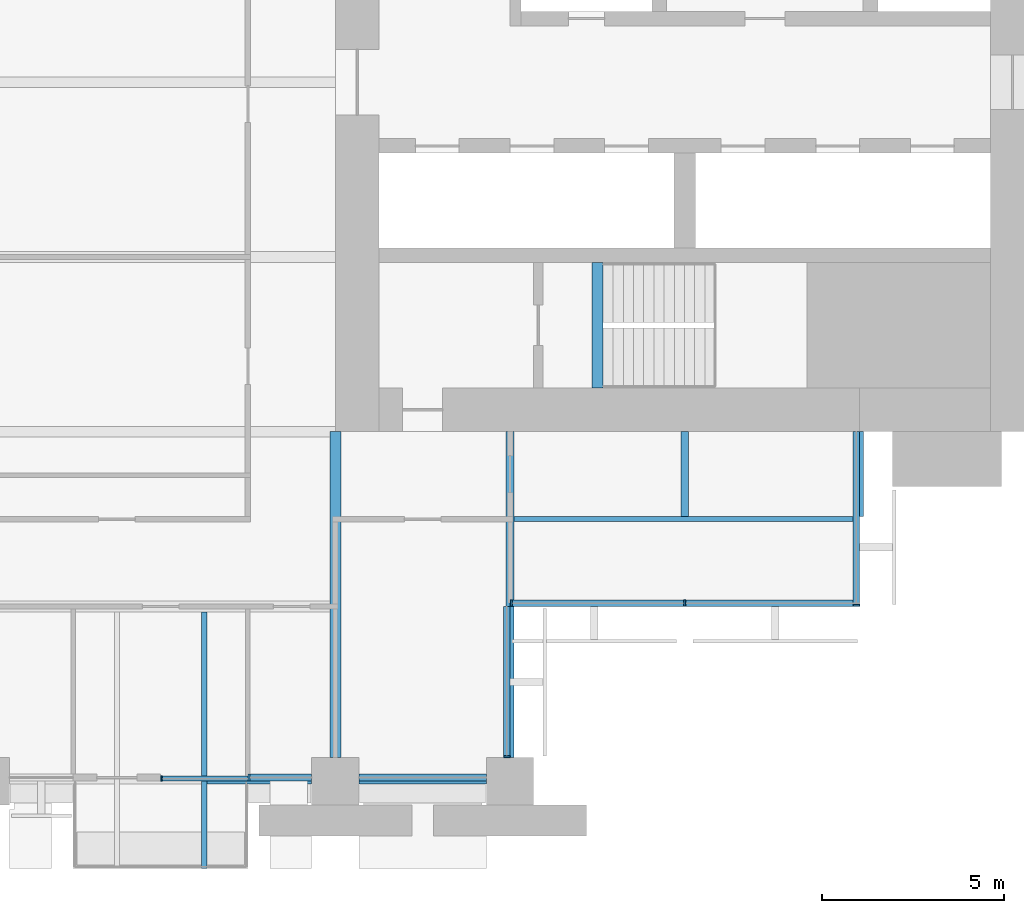
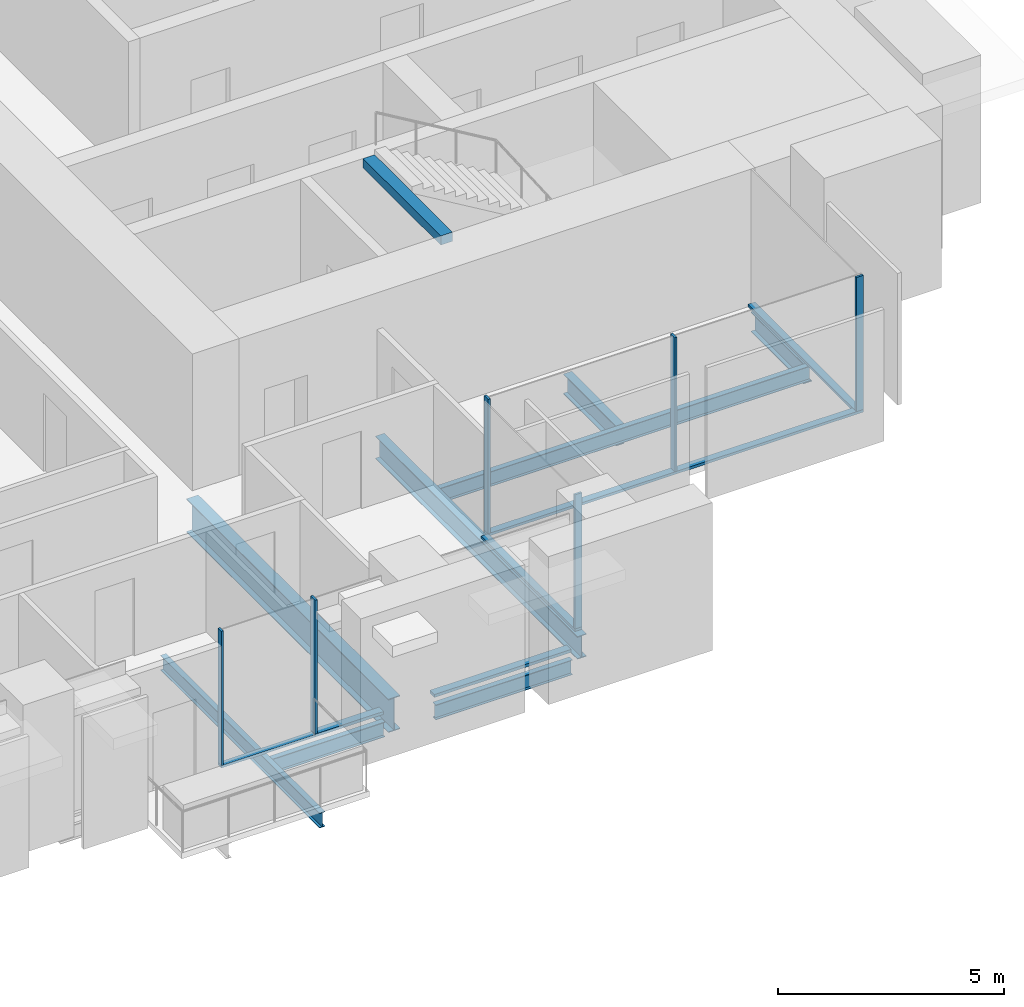
# One storey, part 4 of 15: 12 members, 9 beams, 5 elements without a shape of their own.
"""IFC4 building model written with IfcOpenShell, lengths in metres."""

from ifc_helpers import new_model, si_unit, direction, frame, origin, origin_2d, place, context, subcontext, project, spatial, rectangle, i_section, extrude, material, material_profile, profile_set, type_object, element, aggregate, save


model = new_model("IFC4")

# Units and contexts
model_context = context("Model", 3, precision=1e-05, world=origin(), true_north=direction((0.0, 1.0)))
body_context = subcontext(model_context, "Body", "Model", "MODEL_VIEW")
ifc_project = project(units=[si_unit("LENGTHUNIT", "METRE"), si_unit("AREAUNIT", "SQUARE_METRE"), si_unit("VOLUMEUNIT", "CUBIC_METRE"), si_unit("PLANEANGLEUNIT", "RADIAN"), si_unit("MASSUNIT", "GRAM", prefix="KILO")], contexts=[model_context])

# Site, building, storey
site_placement = place(None, origin())
site = spatial("IfcSite", under=ifc_project, at=site_placement, CompositionType="ELEMENT")
building_placement = place(site_placement, origin())
building = spatial("IfcBuilding", under=site, at=building_placement, Name="Baori Bourse Tower", CompositionType="ELEMENT")
storey_placement = place(building_placement, frame((0.0, 0.0, 83.0)))
storey = spatial("IfcBuildingStorey", under=building, at=storey_placement, Name="L18", CompositionType="ELEMENT", Elevation=83.0)

# Beam
ifc_material_1 = material(Name="Steel A992 Gr 50", Category="steel")
ifc_material_profile_1 = material_profile(ifc_material_1, i_section(OverallWidth=0.140380859375, OverallDepth=0.40380859375, WebThickness=0.007080078125, FlangeThickness=0.01123046875, at=origin_2d()), Name="W16x31")
ifc_profile_set_1 = profile_set([ifc_material_profile_1], Name="Steel A992 Gr 50")
beam_type_1 = type_object("IfcBeamType", Name="Balcony beam W16x31", PredefinedType="BEAM", material=ifc_profile_set_1)
beam_1_placement = place(storey_placement, frame((34.800048828125, -2.39990234375, -0.36181640625), z_axis=(0.0, 1.0, 0.0), x_axis=(-1.0, 0.0, 0.0)))
element("IfcBeam", 1, at=beam_1_placement, inside=storey, type_object=beam_type_1, Name="Balcony beam L18", PredefinedType="BEAM", context=body_context, shape_type="SweptSolid", body=[
    extrude(i_section(OverallWidth=0.140380859375, OverallDepth=0.40380859375, WebThickness=0.007080078125, FlangeThickness=0.01123046875, at=origin_2d()), origin(), (0.0, 0.0, 1.0), 7.050048828125),
])

# Curtain wall, members
ifc_material_2 = material(Name="Pale anodised aluminium", Category="aluminium")
curtain_wall_type_1 = type_object("IfcCurtainWallType", Name="CW1 Curtain wall", PredefinedType="NOTDEFINED", material=ifc_material_2)
curtain_wall_1_placement = place(storey_placement, origin())
curtain_wall_1 = element("IfcCurtainWall", 2, at=curtain_wall_1_placement, inside=storey, type_object=curtain_wall_type_1, Name="Curtain wall CW1 L18 16", PredefinedType="NOTDEFINED")
ifc_material_3 = material(Name="Pale anodised aluminium", Category="aluminium")
ifc_material_profile_2 = material_profile(ifc_material_3, rectangle(XDim=0.199951171875, YDim=0.06005859375, at=origin_2d()), Name="Mullion 60x200")
ifc_profile_set_2 = profile_set([ifc_material_profile_2], Name="Pale anodised aluminium")
member_type_1 = type_object("IfcMemberType", Name="CW1 Curtain wall mullion", PredefinedType="MULLION", material=ifc_profile_set_2)
member_1_placement = place(storey_placement, frame((36.030029296875, 0.10009765625, 0.080078125), z_axis=(0.0, 0.0, 1.0), x_axis=(0.0, 1.0, 0.0)))
member_1 = element("IfcMember", 3, at=member_1_placement, type_object=member_type_1, Name="Curtain wall CW1 mullion", PredefinedType="MULLION", context=body_context, shape_type="SweptSolid", body=[
    extrude(rectangle(XDim=0.199951171875, YDim=0.06005859375, at=origin_2d()), origin(), (0.0, 0.0, 1.0), 3.619873046875),
])
ifc_material_4 = material(Name="Pale anodised aluminium", Category="aluminium")
ifc_material_profile_3 = material_profile(ifc_material_4, rectangle(XDim=0.199951171875, YDim=0.080078125, at=origin_2d()), Name="Transom 80x200")
ifc_profile_set_3 = profile_set([ifc_material_profile_3], Name="Pale anodised aluminium")
member_type_2 = type_object("IfcMemberType", Name="CW1 Curtain wall transom", PredefinedType="USERDEFINED", material=ifc_profile_set_3)
member_2_placement = place(storey_placement, frame((36.0, 0.10009765625, 0.0400390625), z_axis=(1.0, 0.0, 0.0), x_axis=(0.0, 1.0, 0.0)))
member_2 = element("IfcMember", 4, at=member_2_placement, type_object=member_type_2, Name="Curtain wall CW1 sill rail", ObjectType="TRANSOM", PredefinedType="USERDEFINED", context=body_context, shape_type="SweptSolid", body=[
    extrude(rectangle(XDim=0.199951171875, YDim=0.080078125, at=origin_2d()), origin(), (0.0, 0.0, 1.0), 1.75),
])
member_3_placement = place(storey_placement, frame((39.050048828125, 0.10009765625, 0.0400390625), z_axis=(1.0, 0.0, 0.0), x_axis=(0.0, 1.0, 0.0)))
member_3 = element("IfcMember", 5, at=member_3_placement, type_object=member_type_2, Name="Curtain wall CW1 sill rail", ObjectType="TRANSOM", PredefinedType="USERDEFINED", context=body_context, shape_type="SweptSolid", body=[
    extrude(rectangle(XDim=0.199951171875, YDim=0.080078125, at=origin_2d()), origin(), (0.0, 0.0, 1.0), 3.5),
])
aggregate(curtain_wall_1, [member_2, member_1, member_3])

# Curtain wall, member
ifc_material_5 = material(Name="Pale anodised aluminium", Category="aluminium")
curtain_wall_type_2 = type_object("IfcCurtainWallType", Name="CW2 Curtain wall", PredefinedType="NOTDEFINED", material=ifc_material_5)
curtain_wall_2_placement = place(storey_placement, origin())
curtain_wall_2 = element("IfcCurtainWall", 6, at=curtain_wall_2_placement, inside=storey, type_object=curtain_wall_type_2, Name="Curtain wall CW2 L18 17", PredefinedType="NOTDEFINED")
ifc_material_6 = material(Name="Pale anodised aluminium", Category="aluminium")
ifc_material_profile_4 = material_profile(ifc_material_6, rectangle(XDim=0.179931640625, YDim=0.054931640625, at=origin_2d()), Name="Mullion 55x180")
ifc_profile_set_4 = profile_set([ifc_material_profile_4], Name="Pale anodised aluminium")
member_type_3 = type_object("IfcMemberType", Name="CW2 Curtain wall mullion", PredefinedType="MULLION", material=ifc_profile_set_4)
member_4_placement = place(storey_placement, frame((43.110107421875, 0.677490234375, 0.070068359375), z_axis=(0.0, 0.0, 1.0), x_axis=(-1.0, 0.0, 0.0)))
member_4 = element("IfcMember", 7, at=member_4_placement, type_object=member_type_3, Name="Curtain wall CW2 mullion", PredefinedType="MULLION", context=body_context, shape_type="SweptSolid", body=[
    extrude(rectangle(XDim=0.179931640625, YDim=0.054931640625, at=origin_2d()), origin(), (0.0, 0.0, 1.0), 3.6298828125),
])

# Curtain wall, members
curtain_wall_3_placement = place(storey_placement, origin())
curtain_wall_3 = element("IfcCurtainWall", 8, at=curtain_wall_3_placement, inside=storey, type_object=curtain_wall_type_2, Name="Curtain wall CW2 L18 18", PredefinedType="NOTDEFINED")
member_5_placement = place(storey_placement, frame((43.2275390625, 4.889892578125, 0.070068359375), z_axis=(0.0, 0.0, 1.0), x_axis=(0.0, 1.0, 0.0)))
member_5 = element("IfcMember", 9, at=member_5_placement, type_object=member_type_3, Name="Curtain wall CW2 mullion", PredefinedType="MULLION", context=body_context, shape_type="SweptSolid", body=[
    extrude(rectangle(XDim=0.179931640625, YDim=0.054931640625, at=origin_2d()), origin(), (0.0, 0.0, 1.0), 3.6298828125),
])
member_6_placement = place(storey_placement, frame((48.0, 4.889892578125, 0.070068359375), z_axis=(0.0, 0.0, 1.0), x_axis=(0.0, 1.0, 0.0)))
member_6 = element("IfcMember", 10, at=member_6_placement, type_object=member_type_3, Name="Curtain wall CW2 mullion", PredefinedType="MULLION", context=body_context, shape_type="SweptSolid", body=[
    extrude(rectangle(XDim=0.179931640625, YDim=0.054931640625, at=origin_2d()), origin(), (0.0, 0.0, 1.0), 3.6298828125),
])

# Curtain wall, member
curtain_wall_4_placement = place(storey_placement, origin())
curtain_wall_4 = element("IfcCurtainWall", 11, at=curtain_wall_4_placement, inside=storey, type_object=curtain_wall_type_2, Name="Curtain wall CW2 L18 19", PredefinedType="NOTDEFINED")
member_7_placement = place(storey_placement, frame((52.7099609375, 4.827392578125, 0.070068359375), z_axis=(0.0, 0.0, 1.0), x_axis=(-1.0, 0.0, 0.0)))
member_7 = element("IfcMember", 12, at=member_7_placement, type_object=member_type_3, Name="Curtain wall CW2 mullion", PredefinedType="MULLION", context=body_context, shape_type="SweptSolid", body=[
    extrude(rectangle(XDim=0.179931640625, YDim=0.054931640625, at=origin_2d()), origin(), (0.0, 0.0, 1.0), 3.6298828125),
])

# Member
ifc_material_7 = material(Name="Pale anodised aluminium", Category="aluminium")
ifc_material_profile_5 = material_profile(ifc_material_7, rectangle(XDim=0.179931640625, YDim=0.070068359375, at=origin_2d()), Name="Transom 70x180")
ifc_profile_set_5 = profile_set([ifc_material_profile_5], Name="Pale anodised aluminium")
member_type_4 = type_object("IfcMemberType", Name="CW2 Curtain wall transom", PredefinedType="USERDEFINED", material=ifc_profile_set_5)
member_8_placement = place(storey_placement, frame((43.110107421875, 0.64990234375, 0.034912109375), z_axis=(0.0, 1.0, 0.0), x_axis=(-1.0, 0.0, 0.0)))
member_8 = element("IfcMember", 13, at=member_8_placement, type_object=member_type_4, Name="Curtain wall CW2 sill rail", ObjectType="TRANSOM", PredefinedType="USERDEFINED", context=body_context, shape_type="SweptSolid", body=[
    extrude(rectangle(XDim=0.179931640625, YDim=0.070068359375, at=origin_2d()), origin(), (0.0, 0.0, 1.0), 4.150146484375),
])

aggregate(curtain_wall_2, [member_8, member_4])

member_9_placement = place(storey_placement, frame((43.199951171875, 4.889892578125, 0.034912109375), z_axis=(1.0, 0.0, 0.0), x_axis=(0.0, 1.0, 0.0)))
member_9 = element("IfcMember", 14, at=member_9_placement, type_object=member_type_4, Name="Curtain wall CW2 sill rail", ObjectType="TRANSOM", PredefinedType="USERDEFINED", context=body_context, shape_type="SweptSolid", body=[
    extrude(rectangle(XDim=0.179931640625, YDim=0.070068359375, at=origin_2d()), origin(), (0.0, 0.0, 1.0), 9.60009765625),
])

aggregate(curtain_wall_3, [member_9, member_5, member_6])

member_10_placement = place(storey_placement, frame((52.7099609375, 4.800048828125, 0.034912109375), z_axis=(0.0, 1.0, 0.0), x_axis=(-1.0, 0.0, 0.0)))
member_10 = element("IfcMember", 15, at=member_10_placement, type_object=member_type_4, Name="Curtain wall CW2 sill rail", ObjectType="TRANSOM", PredefinedType="USERDEFINED", context=body_context, shape_type="SweptSolid", body=[
    extrude(rectangle(XDim=0.179931640625, YDim=0.070068359375, at=origin_2d()), origin(), (0.0, 0.0, 1.0), 4.800048828125),
])

aggregate(curtain_wall_4, [member_10, member_7])

# Curtain wall, members
ifc_material_8 = material(Name="Pale anodised aluminium", Category="aluminium")
curtain_wall_type_3 = type_object("IfcCurtainWallType", Name="CW6 Curtain wall", PredefinedType="NOTDEFINED", material=ifc_material_8)
curtain_wall_5_placement = place(storey_placement, origin())
curtain_wall_5 = element("IfcCurtainWall", 16, at=curtain_wall_5_placement, inside=storey, type_object=curtain_wall_type_3, Name="Curtain wall CW6 L18 15", PredefinedType="NOTDEFINED")
ifc_material_9 = material(Name="Pale anodised aluminium", Category="aluminium")
ifc_material_profile_6 = material_profile(ifc_material_9, rectangle(XDim=0.14990234375, YDim=0.050048828125, at=origin_2d()), Name="Mullion 50x150")
ifc_profile_set_6 = profile_set([ifc_material_profile_6], Name="Pale anodised aluminium")
member_type_5 = type_object("IfcMemberType", Name="CW6 Curtain wall mullion", PredefinedType="MULLION", material=ifc_profile_set_6)
member_11_placement = place(storey_placement, frame((33.625, 0.074951171875, 0.06494140625), z_axis=(0.0, 0.0, 1.0), x_axis=(0.0, 1.0, 0.0)))
member_11 = element("IfcMember", 17, at=member_11_placement, type_object=member_type_5, Name="Curtain wall CW6 mullion", PredefinedType="MULLION", context=body_context, shape_type="SweptSolid", body=[
    extrude(rectangle(XDim=0.14990234375, YDim=0.050048828125, at=origin_2d()), origin(), (0.0, 0.0, 1.0), 3.635009765625),
])
ifc_material_10 = material(Name="Pale anodised aluminium", Category="aluminium")
ifc_material_profile_7 = material_profile(ifc_material_10, rectangle(XDim=0.14990234375, YDim=0.06494140625, at=origin_2d()), Name="Transom 65x150")
ifc_profile_set_7 = profile_set([ifc_material_profile_7], Name="Pale anodised aluminium")
member_type_6 = type_object("IfcMemberType", Name="CW6 Curtain wall transom", PredefinedType="USERDEFINED", material=ifc_profile_set_7)
member_12_placement = place(storey_placement, frame((33.60009765625, 0.074951171875, 0.032470703125), z_axis=(1.0, 0.0, 0.0), x_axis=(0.0, 1.0, 0.0)))
member_12 = element("IfcMember", 18, at=member_12_placement, type_object=member_type_6, Name="Curtain wall CW6 sill rail", ObjectType="TRANSOM", PredefinedType="USERDEFINED", context=body_context, shape_type="SweptSolid", body=[
    extrude(rectangle(XDim=0.14990234375, YDim=0.06494140625, at=origin_2d()), origin(), (0.0, 0.0, 1.0), 2.39990234375),
])
aggregate(curtain_wall_5, [member_12, member_11])

# Beams
ifc_material_11 = material(Name="Steel A992 Gr 50", Category="steel")
ifc_material_profile_8 = material_profile(ifc_material_11, i_section(OverallWidth=0.21240234375, OverallDepth=0.54345703125, WebThickness=0.01318359375, FlangeThickness=0.021240234375, at=origin_2d()), Name="W21x83")
ifc_profile_set_8 = profile_set([ifc_material_profile_8], Name="Steel A992 Gr 50")
beam_type_2 = type_object("IfcBeamType", Name="Core bracket W21x83", PredefinedType="BEAM", material=ifc_profile_set_8)
for number, where, z_axis, x_axis, name in (
    (19, (48.0, 7.270263671875, -0.431884765625), (0.0, 1.0, 0.0), (-1.0, 0.0, 0.0), "Core bracket L18"),
    (20, (52.800048828125, 7.270263671875, -0.431884765625), (0.0, 1.0, 0.0), (-1.0, 0.0, 0.0), "Core bracket L18"),
):
    element("IfcBeam", number, at=place(storey_placement, frame(where, z_axis=z_axis, x_axis=x_axis)), inside=storey, type_object=beam_type_2, Name=name, PredefinedType="BEAM", context=body_context, shape_type="SweptSolid", body=[
        extrude(i_section(OverallWidth=0.21240234375, OverallDepth=0.54345703125, WebThickness=0.01318359375, FlangeThickness=0.021240234375, at=origin_2d()), origin(), (0.0, 0.0, 1.0), 2.329833984375),
    ])
ifc_material_12 = material(Name="Steel A992 Gr 50", Category="steel")
ifc_material_profile_9 = material_profile(ifc_material_12, i_section(OverallWidth=0.140380859375, OverallDepth=0.40380859375, WebThickness=0.007080078125, FlangeThickness=0.01123046875, at=origin_2d()), Name="W16x31")
ifc_profile_set_9 = profile_set([ifc_material_profile_9], Name="Steel A992 Gr 50")
beam_type_3 = type_object("IfcBeamType", Name="Edge beam W16x31", PredefinedType="BEAM", material=ifc_profile_set_9)
beam_2_placement = place(storey_placement, frame((34.8701171875, 0.0, -0.36181640625), z_axis=(1.0, 0.0, 0.0), x_axis=(0.0, 1.0, 0.0)))
element("IfcBeam", 21, at=beam_2_placement, inside=storey, type_object=beam_type_3, Name="Edge beam L18", PredefinedType="BEAM", context=body_context, shape_type="SweptSolid", body=[
    extrude(i_section(OverallWidth=0.140380859375, OverallDepth=0.40380859375, WebThickness=0.007080078125, FlangeThickness=0.01123046875, at=origin_2d()), origin(), (0.0, 0.0, 1.0), 2.8798828125),
])
beam_3_placement = place(storey_placement, frame((39.050048828125, 0.0, -0.36181640625), z_axis=(1.0, 0.0, 0.0), x_axis=(0.0, 1.0, 0.0)))
element("IfcBeam", 22, at=beam_3_placement, inside=storey, type_object=beam_type_3, Name="Edge beam L18", PredefinedType="BEAM", context=body_context, shape_type="SweptSolid", body=[
    extrude(i_section(OverallWidth=0.140380859375, OverallDepth=0.40380859375, WebThickness=0.007080078125, FlangeThickness=0.01123046875, at=origin_2d()), origin(), (0.0, 0.0, 1.0), 3.5),
])
ifc_material_13 = material(Name="Steel A992 Gr 50", Category="steel")
ifc_material_profile_10 = material_profile(ifc_material_13, i_section(OverallWidth=0.22900390625, OverallDepth=0.612060546875, WebThickness=0.011962890625, FlangeThickness=0.01953125, at=origin_2d()), Name="W24x84")
ifc_profile_set_10 = profile_set([ifc_material_profile_10], Name="Steel A992 Gr 50")
beam_type_4 = type_object("IfcBeamType", Name="Floor beam W24x84", PredefinedType="BEAM", material=ifc_profile_set_10)
beam_4_placement = place(storey_placement, frame((43.199951171875, 0.64990234375, -0.466064453125), z_axis=(0.0, 1.0, 0.0), x_axis=(-1.0, 0.0, 0.0)))
element("IfcBeam", 23, at=beam_4_placement, inside=storey, type_object=beam_type_4, Name="Floor beam L18", PredefinedType="BEAM", context=body_context, shape_type="SweptSolid", body=[
    extrude(i_section(OverallWidth=0.22900390625, OverallDepth=0.612060546875, WebThickness=0.011962890625, FlangeThickness=0.01953125, at=origin_2d()), origin(), (0.0, 0.0, 1.0), 8.9501953125),
])
ifc_material_14 = material(Name="Steel A992 Gr 50", Category="steel")
ifc_material_profile_11 = material_profile(ifc_material_14, i_section(OverallWidth=0.3046875, OverallDepth=0.904296875, WebThickness=0.01513671875, FlangeThickness=0.02001953125, at=origin_2d()), Name="W36x135")
ifc_profile_set_11 = profile_set([ifc_material_profile_11], Name="Steel A992 Gr 50")
beam_type_5 = type_object("IfcBeamType", Name="Girder W36x135", PredefinedType="BEAM", material=ifc_profile_set_11)
beam_5_placement = place(storey_placement, frame((38.39990234375, 0.64990234375, -0.612060546875), z_axis=(0.0, 1.0, 0.0), x_axis=(-1.0, 0.0, 0.0)))
element("IfcBeam", 24, at=beam_5_placement, inside=storey, type_object=beam_type_5, Name="Girder L18", PredefinedType="BEAM", context=body_context, shape_type="SweptSolid", body=[
    extrude(i_section(OverallWidth=0.3046875, OverallDepth=0.904296875, WebThickness=0.01513671875, FlangeThickness=0.02001953125, at=origin_2d()), origin(), (0.0, 0.0, 1.0), 8.9501953125),
])
ifc_material_15 = material(Name="Concrete f'c 50 MPa", Category="concrete")
ifc_material_profile_12 = material_profile(ifc_material_15, rectangle(XDim=0.300048828125, YDim=0.25, at=origin_2d()), Name="RC 300x250")
ifc_profile_set_12 = profile_set([ifc_material_profile_12], Name="Concrete f'c 50 MPa")
beam_type_6 = type_object("IfcBeamType", Name="Stair nib beam RC 300x250", PredefinedType="BEAM", material=ifc_profile_set_12)
beam_6_placement = place(storey_placement, frame((45.60009765625, 10.800048828125, 3.574951171875), z_axis=(0.0, 1.0, 0.0), x_axis=(-1.0, 0.0, 0.0)))
element("IfcBeam", 25, at=beam_6_placement, inside=storey, type_object=beam_type_6, Name="Stair EA nib beam L19", PredefinedType="BEAM", context=body_context, shape_type="SweptSolid", body=[
    extrude(rectangle(XDim=0.300048828125, YDim=0.25, at=origin_2d()), origin(), (0.0, 0.0, 1.0), 3.449951171875),
])
ifc_material_16 = material(Name="Steel A992 Gr 50", Category="steel")
ifc_material_profile_13 = material_profile(ifc_material_16, i_section(OverallWidth=0.140380859375, OverallDepth=0.40380859375, WebThickness=0.007080078125, FlangeThickness=0.01123046875, at=origin_2d()), Name="W16x31")
ifc_profile_set_13 = profile_set([ifc_material_profile_13], Name="Steel A992 Gr 50")
beam_type_7 = type_object("IfcBeamType", Name="Trimmer beam W16x31", PredefinedType="BEAM", material=ifc_profile_set_13)
beam_7_placement = place(storey_placement, frame((43.314453125, 7.199951171875, -0.36181640625), z_axis=(1.0, 0.0, 0.0), x_axis=(0.0, 1.0, 0.0)))
element("IfcBeam", 26, at=beam_7_placement, inside=storey, type_object=beam_type_7, Name="Trimmer beam L18", PredefinedType="BEAM", context=body_context, shape_type="SweptSolid", body=[
    extrude(i_section(OverallWidth=0.140380859375, OverallDepth=0.40380859375, WebThickness=0.007080078125, FlangeThickness=0.01123046875, at=origin_2d()), origin(), (0.0, 0.0, 1.0), 9.485595703125),
])

save(model, "model.ifc")
